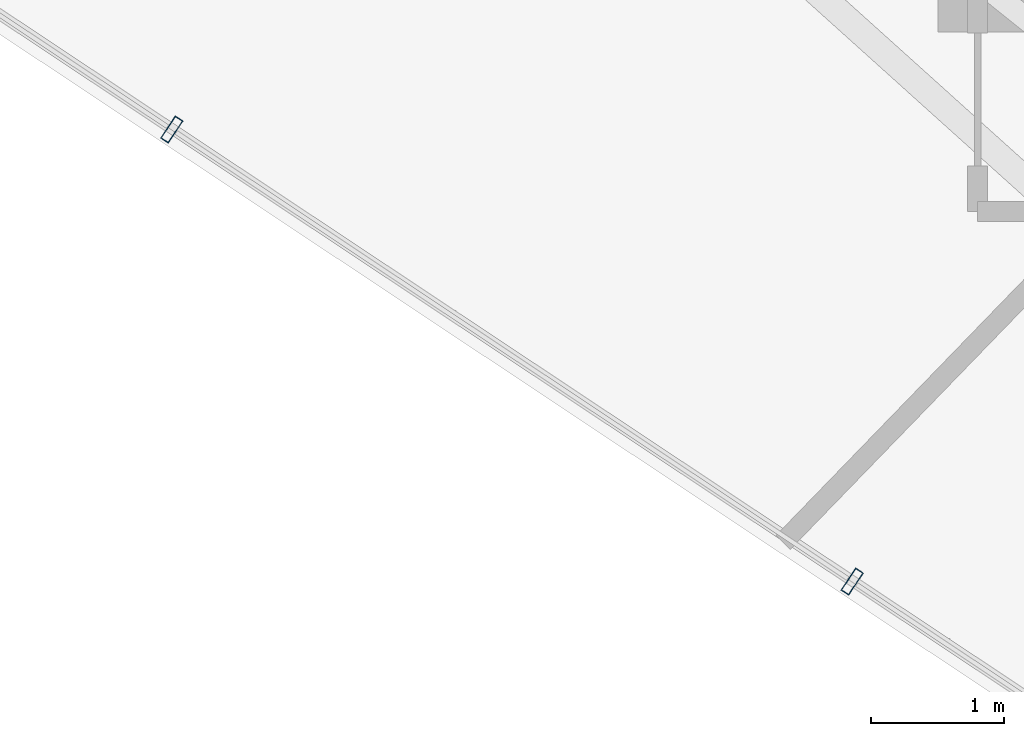
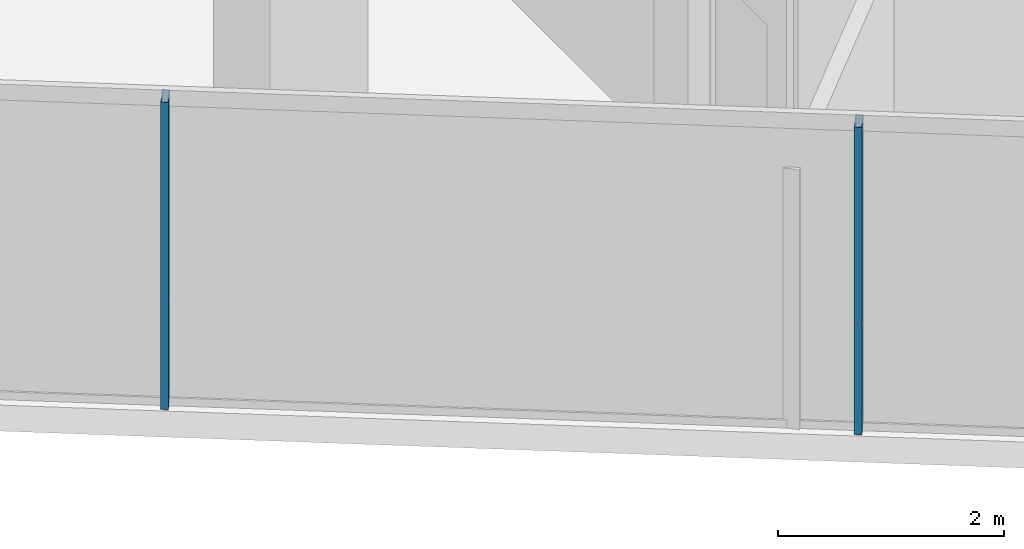
# One storey, part 2 of 21: 2 members, 1 element without a shape of its own.
"""IFC4 building model written with IfcOpenShell, lengths in metres."""

from ifc_helpers import new_model, si_unit, direction, frame, origin, origin_2d, place, context, subcontext, project, spatial, hollow_rectangle, extrude, material, layer, layer_set, material_profile, profile_set, type_object, element, aggregate, save


model = new_model("IFC4")

# Units and contexts
model_context = context("Model", 3, precision=1e-05, world=origin(), true_north=direction((0.0, 1.0)))
body_context = subcontext(model_context, "Body", "Model", "MODEL_VIEW")
ifc_project = project(units=[si_unit("LENGTHUNIT", "METRE"), si_unit("AREAUNIT", "SQUARE_METRE"), si_unit("VOLUMEUNIT", "CUBIC_METRE"), si_unit("PLANEANGLEUNIT", "RADIAN"), si_unit("MASSUNIT", "GRAM", prefix="KILO")], contexts=[model_context])

# Site, building, storey
site_placement = place(None, origin())
site = spatial("IfcSite", under=ifc_project, at=site_placement, CompositionType="ELEMENT")
building_placement = place(site_placement, origin())
building = spatial("IfcBuilding", under=site, at=building_placement, Name="Qarnah Convention Tower", CompositionType="ELEMENT")
storey_placement = place(building_placement, frame((0.0, 0.0, 165.300048828125)))
storey = spatial("IfcBuildingStorey", under=building, at=storey_placement, Name="L44", CompositionType="ELEMENT", Elevation=165.300048828125)

# Curtain wall, members
ifc_material_1 = material(Name="Tempered Low-E dark glass", Category="glass")
ifc_layer = layer(ifc_material_1, 0.172119140625)
ifc_layer_set = layer_set([ifc_layer], Name="Tempered Low-E dark glass")
curtain_wall_type = type_object("IfcCurtainWallType", Name="CWS-03", PredefinedType="NOTDEFINED", material=ifc_layer_set)
curtain_wall_placement = place(storey_placement, origin())
curtain_wall = element("IfcCurtainWall", 1, at=curtain_wall_placement, inside=storey, type_object=curtain_wall_type, Name="L44 unitised curtain wall CW-L44-F1", PredefinedType="NOTDEFINED")
ifc_material_2 = material(Name="Black anodised aluminium", Category="aluminium")
ifc_material_profile = material_profile(ifc_material_2, hollow_rectangle(XDim=0.070068359375, YDim=0.199951171875, WallThickness=0.0048828125, at=origin_2d()), Name="MUL-70X200")
ifc_profile_set = profile_set([ifc_material_profile], Name="Black anodised aluminium")
member_type = type_object("IfcMemberType", Name="MUL-T3", PredefinedType="MULLION", material=ifc_profile_set)
member_1_placement = place(storey_placement, frame((25.856201171875, 14.164306640625, 0.0), z_axis=(0.0, 0.0, 1.0), x_axis=(-0.832920468029, 0.55339271222, 0.0)))
member_1 = element("IfcMember", 2, at=member_1_placement, type_object=member_type, Name="CW-L44-F1 mullion 4", PredefinedType="MULLION", context=body_context, shape_type="SweptSolid", body=[
    extrude(hollow_rectangle(XDim=0.070068359375, YDim=0.199951171875, WallThickness=0.0048828125, at=origin_2d()), origin(), (0.0, 0.0, 1.0), 3.320068359375),
])
member_2_placement = place(storey_placement, frame((20.737548828125, 17.565185546875, 0.0), z_axis=(0.0, 0.0, 1.0), x_axis=(-0.832920468029, 0.55339271222, 0.0)))
member_2 = element("IfcMember", 3, at=member_2_placement, type_object=member_type, Name="CW-L44-F1 mullion 5", PredefinedType="MULLION", context=body_context, shape_type="SweptSolid", body=[
    extrude(hollow_rectangle(XDim=0.070068359375, YDim=0.199951171875, WallThickness=0.0048828125, at=origin_2d()), origin(), (0.0, 0.0, 1.0), 3.320068359375),
])
aggregate(curtain_wall, [member_1, member_2])

save(model, "model.ifc")
